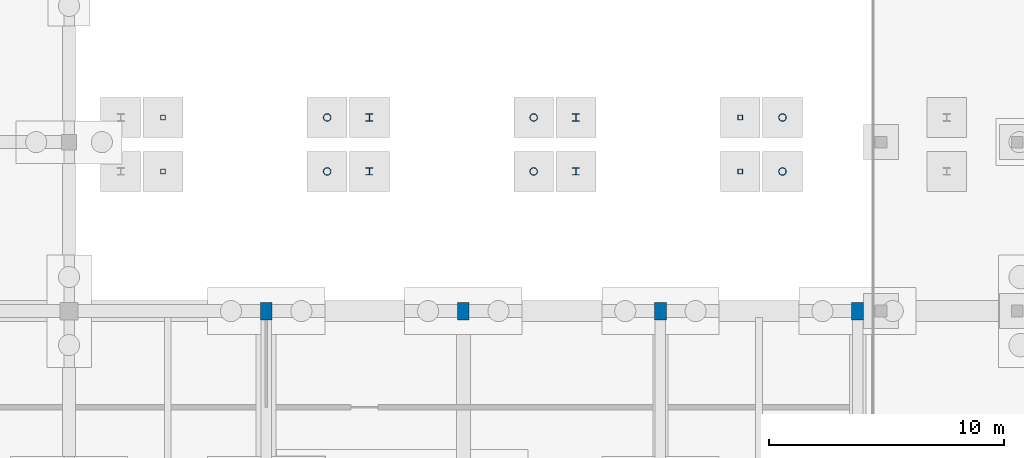
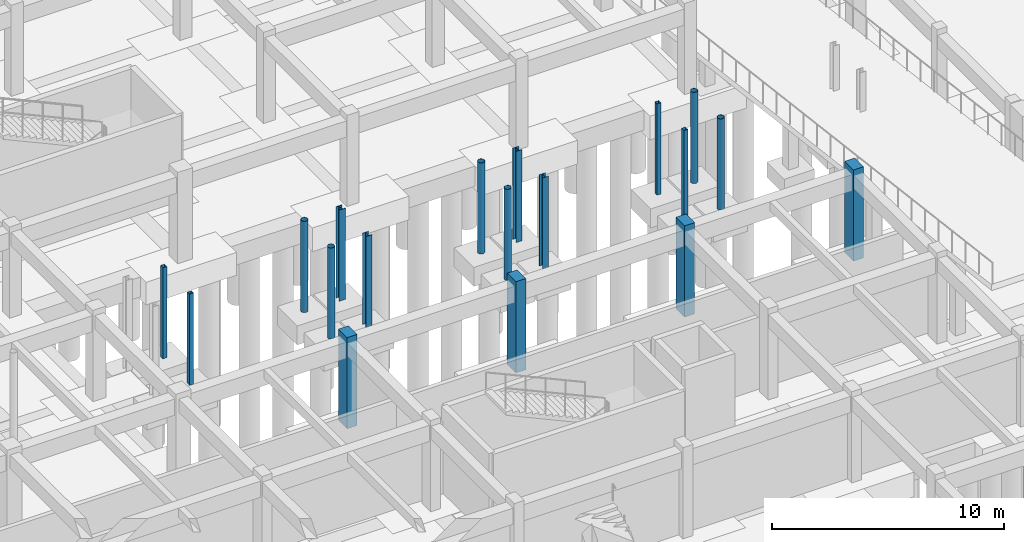
# One storey, part 23 of 80: 18 columns.
"""IFC4 building model written with IfcOpenShell, lengths in metres."""

import ifcopenshell
import ifcopenshell.guid

model = None  # the IFC model being written
_history = None  # IfcOwnerHistory: only IFC2X3 demands one
_inside = {}  # id of a spatial element -> (the spatial element, [elements in it])
_under = {}  # id of a project, library or spatial element -> (it, [spatial elements below it])
_declared = {}  # id of a project -> (the project, [libraries it declares])
_typed = {}  # id of a type object -> (the type object, [elements of that type])
_made_of = {}  # id of a material, layer set ... -> (it, [elements and type objects made of it])


def new_model(schema):
    """Start an empty IFC model of exactly this schema.

    Asked for "IFC4X3", IfcOpenShell would pick the latest addendum, in which some entities
    have other attributes; the version numbers below select the first issue.
    IFC2X3 requires an IfcOwnerHistory on every rooted entity: one is made here for all.
    """
    global model, _history
    if schema == "IFC4X3":
        model = ifcopenshell.file(schema_version=(4, 3, 0, 0))
    else:
        model = ifcopenshell.file(schema=schema)
    _inside.clear()
    _under.clear()
    _declared.clear()
    _typed.clear()
    _made_of.clear()
    _history = None
    if model.schema == "IFC2X3":
        org = make("IfcOrganization", Name="unknown")
        user = make(
            "IfcPersonAndOrganization",
            ThePerson=make("IfcPerson", FamilyName="unknown"),
            TheOrganization=org,
        )
        app = make(
            "IfcApplication",
            ApplicationDeveloper=org,
            Version="unknown",
            ApplicationFullName="unknown",
            ApplicationIdentifier="unknown",
        )
        _history = make(
            "IfcOwnerHistory",
            OwningUser=user,
            OwningApplication=app,
            ChangeAction="ADDED",
            CreationDate=0,
        )
    return model


def make(cls, **values):
    """One entity of the class cls with the attributes given. An attribute that is None is left unset."""
    return model.create_entity(
        cls, **{name: value for name, value in values.items() if value is not None}
    )


def rooted(cls, **values):
    """An entity with a GlobalId (a new one), such as an element, a storey or a relation."""
    return make(cls, GlobalId=ifcopenshell.guid.new(), OwnerHistory=_history, **values)


def si_unit(unit_type, name, prefix=None):
    """IfcSIUnit, for example si_unit("LENGTHUNIT", "METRE", prefix="MILLI")."""
    return make("IfcSIUnit", UnitType=unit_type, Prefix=prefix, Name=name)


def assignment(units):
    """IfcUnitAssignment: the units of a project."""
    return None if units is None else make("IfcUnitAssignment", Units=units)


def point(xyz):
    """IfcCartesianPoint."""
    return None if xyz is None else make("IfcCartesianPoint", Coordinates=xyz)


def direction(xyz):
    """IfcDirection."""
    return None if xyz is None else make("IfcDirection", DirectionRatios=xyz)


def frame(location, z_axis=None, x_axis=None):
    """IfcAxis2Placement3D, a coordinate frame: its origin and axes. An axis left out is left unset."""
    return make(
        "IfcAxis2Placement3D",
        Location=point(location),
        Axis=direction(z_axis),
        RefDirection=direction(x_axis),
    )


def frame_2d(location, x_axis=None):
    """IfcAxis2Placement2D, a coordinate frame in the plane: its origin and x axis."""
    return make(
        "IfcAxis2Placement2D", Location=point(location), RefDirection=direction(x_axis)
    )


def origin():
    """The frame at (0, 0, 0) with its axes left unset."""
    return frame((0.0, 0.0, 0.0))


def origin_2d():
    """The frame at (0, 0) in the plane with its x axis left unset."""
    return frame_2d((0.0, 0.0))


def place(relative_to, where):
    """IfcLocalPlacement: puts the frame where relative to a parent placement (None: the world)."""
    return make(
        "IfcLocalPlacement", PlacementRelTo=relative_to, RelativePlacement=where
    )


def context(
    kind, dimensions, precision=None, world=None, true_north=None, identifier=None
):
    """IfcGeometricRepresentationContext, for example the 3D "Model" context."""
    return make(
        "IfcGeometricRepresentationContext",
        ContextIdentifier=identifier,
        ContextType=kind,
        CoordinateSpaceDimension=dimensions,
        Precision=precision,
        WorldCoordinateSystem=world,
        TrueNorth=true_north,
    )


def subcontext(parent, identifier, kind, view, scale=None):
    """IfcGeometricRepresentationSubContext, for example "Body" below "Model"."""
    return make(
        "IfcGeometricRepresentationSubContext",
        ContextIdentifier=identifier,
        ContextType=kind,
        ParentContext=parent,
        TargetScale=scale,
        TargetView=view,
    )


def project(units=None, contexts=None):
    """IfcProject with its units and contexts."""
    return rooted(
        "IfcProject",
        Name="project",
        RepresentationContexts=contexts,
        UnitsInContext=assignment(units),
    )


def spatial(cls, under=None, at=None, **own):
    """A site, building, storey or space (cls), placed at a placement, below another one or the project."""
    s = rooted(cls, ObjectPlacement=at, **own)
    if under is not None:
        _under.setdefault(under.id(), (under, []))[1].append(s)
    return s


def profile(cls, at=None, kind="AREA", **sizes):
    """A parametric profile (cls). Its sizes go by their IFC names, for example OverallWidth=200.0."""
    return make(cls, ProfileType=kind, Position=at, **sizes)


def rectangle(**sizes):
    """IfcRectangleProfileDef."""
    return profile("IfcRectangleProfileDef", **sizes)


def hollow_rectangle(**sizes):
    """IfcRectangleHollowProfileDef."""
    return profile("IfcRectangleHollowProfileDef", **sizes)


def hollow_circle(**sizes):
    """IfcCircleHollowProfileDef."""
    return profile("IfcCircleHollowProfileDef", **sizes)


def i_section(**sizes):
    """IfcIShapeProfileDef."""
    return profile("IfcIShapeProfileDef", **sizes)


def extrude(swept, where, along, depth):
    """IfcExtrudedAreaSolid: the profile swept, set in the frame where, extruded along a direction by depth."""
    return make(
        "IfcExtrudedAreaSolid",
        SweptArea=swept,
        Position=where,
        ExtrudedDirection=direction(along),
        Depth=depth,
    )


def shape(context_of_items, identifier, shape_type, items):
    """IfcShapeRepresentation: the items that make up one representation, for example the "Body"."""
    return make(
        "IfcShapeRepresentation",
        ContextOfItems=context_of_items,
        RepresentationIdentifier=identifier,
        RepresentationType=shape_type,
        Items=items,
    )


def material(Name=None, Category=None):
    """IfcMaterial."""
    return make("IfcMaterial", Name=Name, Category=Category)


def material_profile(
    of_material, cross_section, Name=None, Category=None, Priority=None
):
    """IfcMaterialProfile: a cross section and its material."""
    return make(
        "IfcMaterialProfile",
        Name=Name,
        Material=of_material,
        Profile=cross_section,
        Priority=Priority,
        Category=Category,
    )


def profile_set(profiles, Name=None, composite=None):
    """IfcMaterialProfileSet."""
    return make(
        "IfcMaterialProfileSet",
        Name=Name,
        MaterialProfiles=profiles,
        CompositeProfile=composite,
    )


def made_of(thing, what):
    """Note that an element or type object is made of a material, layer set ...; save() writes the relation."""
    if what is not None:
        _made_of.setdefault(what.id(), (what, []))[1].append(thing)
    return thing


def type_object(cls, material=None, **own):
    """A type object (cls), such as IfcWallType, which elements share."""
    return made_of(rooted(cls, **own), material)


def element(
    cls,
    number,
    at=None,
    inside=None,
    cuts=None,
    type_object=None,
    material=None,
    context=None,
    identifier="Body",
    shape_type=None,
    held_by="IfcProductDefinitionShape",
    body=None,
    shapes=None,
    **own,
):
    """One element of the class cls, such as IfcWall. Its Tag is "e" and its number.

    at: its placement. inside: the storey or other place that contains it. cuts: it is an
    opening in that element (IfcRelVoidsElement). A single representation is given by context,
    identifier, shape_type and body (its items); several are given by shapes. held_by: the class
    of the entity that holds the representations. save() writes the other relations.
    """
    e = rooted(cls, Tag="e%d" % number, ObjectPlacement=at, **own)
    if body is not None:
        shapes = [shape(context, identifier, shape_type, body)]
    if shapes is not None:
        e.Representation = make(held_by, Representations=shapes)
    if inside is not None:
        _inside.setdefault(inside.id(), (inside, []))[1].append(e)
    if cuts is not None:
        rooted(
            "IfcRelVoidsElement", RelatingBuildingElement=cuts, RelatedOpeningElement=e
        )
    if type_object is not None:
        _typed.setdefault(type_object.id(), (type_object, []))[1].append(e)
    return made_of(e, material)


def aggregate(whole, parts):
    """IfcRelAggregates: a whole, such as a stair, and the parts it consists of."""
    return rooted("IfcRelAggregates", RelatingObject=whole, RelatedObjects=parts)


def save(model, path):
    """Write the relations noted so far, then the file.

    IfcRelAggregates (storeys below a building ...), IfcRelContainedInSpatialStructure (elements
    in a storey), IfcRelDefinesByType, IfcRelAssociatesMaterial and IfcRelDeclares: one each for
    every whole, place, type object, material and project.
    """
    for whole, parts in _under.values():
        aggregate(whole, parts)
    for where, things in _inside.values():
        rooted(
            "IfcRelContainedInSpatialStructure",
            RelatedElements=things,
            RelatingStructure=where,
        )
    for kind, things in _typed.values():
        rooted("IfcRelDefinesByType", RelatedObjects=things, RelatingType=kind)
    for what, things in _made_of.values():
        rooted("IfcRelAssociatesMaterial", RelatedObjects=things, RelatingMaterial=what)
    for by, libraries in _declared.values():
        rooted("IfcRelDeclares", RelatingContext=by, RelatedDefinitions=libraries)
    model.write(path)


model = new_model("IFC4")

# Units and contexts
model_context = context("Model", 3, precision=1e-05, world=origin(), true_north=direction((0.0, 1.0)))
body_context = subcontext(model_context, "Body", "Model", "MODEL_VIEW")
ifc_project = project(units=[si_unit("LENGTHUNIT", "METRE"), si_unit("AREAUNIT", "SQUARE_METRE"), si_unit("VOLUMEUNIT", "CUBIC_METRE"), si_unit("PLANEANGLEUNIT", "RADIAN"), si_unit("MASSUNIT", "GRAM", prefix="KILO")], contexts=[model_context])

# Site, building, storey
site_placement = place(None, origin())
site = spatial("IfcSite", under=ifc_project, at=site_placement, CompositionType="ELEMENT")
building_placement = place(site_placement, origin())
building = spatial("IfcBuilding", under=site, at=building_placement, Name="Malvenik Polytechnic", CompositionType="ELEMENT")
storey_placement = place(building_placement, frame((0.0, 0.0, -4.800048828125)))
storey = spatial("IfcBuildingStorey", under=building, at=storey_placement, Name="B1", CompositionType="ELEMENT", Elevation=-4.800048828125)

# Columns
ifc_material_1 = material(Name="Concrete C35/45", Category="concrete")
ifc_material_profile_1 = material_profile(ifc_material_1, rectangle(XDim=0.5, YDim=0.75, at=origin_2d()), Name="RC COL 750x500")
ifc_profile_set_1 = profile_set([ifc_material_profile_1], Name="Concrete C35/45")
column_type_1 = type_object("IfcColumnType", Name="STR-COL-C-14", PredefinedType="COLUMN", material=ifc_profile_set_1)
for number, where, z_axis, x_axis, name in (
    (1, (100.800048828125, 36.0, 0.0), (0.0, 0.0, 1.0), (1.0, 0.0, 0.0), "Column C-14 B1 (100.8,36.0)"),
    (2, (109.199951171875, 36.0, 0.0), (0.0, 0.0, 1.0), (1.0, 0.0, 0.0), "Column C-14 B1 (109.2,36.0)"),
    (3, (117.60009765625, 36.0, 0.0), (0.0, 0.0, 1.0), (1.0, 0.0, 0.0), "Column C-14 B1 (117.6,36.0)"),
    (4, (126.0, 36.0, 0.0), (0.0, 0.0, 1.0), (1.0, 0.0, 0.0), "Column C-14 B1 (126.0,36.0)"),
):
    element("IfcColumn", number, at=place(storey_placement, frame(where, z_axis=z_axis, x_axis=x_axis)), inside=storey, type_object=column_type_1, Name=name, PredefinedType="COLUMN", context=body_context, shape_type="SweptSolid", body=[
        extrude(rectangle(XDim=0.5, YDim=0.75, at=origin_2d()), origin(), (0.0, 0.0, 1.0), 4.800048828125),
    ])
ifc_material_2 = material(Name="Steel S355J2H", Category="steel")
ifc_material_profile_2 = material_profile(ifc_material_2, hollow_rectangle(XDim=0.199951171875, YDim=0.199951171875, WallThickness=0.010009765625, at=origin_2d()), Name="SHS 200x200x10.0")
ifc_profile_set_2 = profile_set([ifc_material_profile_2], Name="Steel S355J2H")
column_type_2 = type_object("IfcColumnType", Name="STR-SCOL-SC-02", PredefinedType="COLUMN", material=ifc_profile_set_2)
for number, where, z_axis, x_axis, name in (
    (5, (96.39990234375, 41.949951171875, 0.0), (0.0, 0.0, 1.0), (1.0, 0.0, 0.0), "Bridge-Ramp Support Column SC-02 B1"),
    (6, (96.39990234375, 44.25, 0.0), (0.0, 0.0, 1.0), (1.0, 0.0, 0.0), "Bridge-Ramp Support Column SC-02 B1"),
    (7, (121.0, 41.949951171875, 0.0), (0.0, 0.0, 1.0), (1.0, 0.0, 0.0), "Bridge-Ramp Support Column SC-02 B1"),
    (8, (121.0, 44.25, 0.0), (0.0, 0.0, 1.0), (1.0, 0.0, 0.0), "Bridge-Ramp Support Column SC-02 B1"),
):
    element("IfcColumn", number, at=place(storey_placement, frame(where, z_axis=z_axis, x_axis=x_axis)), inside=storey, type_object=column_type_2, Name=name, PredefinedType="COLUMN", context=body_context, shape_type="SweptSolid", body=[
        extrude(hollow_rectangle(XDim=0.199951171875, YDim=0.199951171875, WallThickness=0.010009765625, at=origin_2d()), origin(), (0.0, 0.0, 1.0), 4.800048828125),
    ])
ifc_material_profile_3 = material_profile(ifc_material_2, hollow_circle(Radius=0.161865234375, WallThickness=0.012451171875, at=origin_2d()), Name="CHS 323.9x12.5")
ifc_profile_set_3 = profile_set([ifc_material_profile_3], Name="Steel S355J2H")
column_type_3 = type_object("IfcColumnType", Name="STR-SCOL-SC-04", PredefinedType="COLUMN", material=ifc_profile_set_3)
for number, where, z_axis, x_axis, name in (
    (9, (103.39990234375, 41.949951171875, 0.0), (0.0, 0.0, 1.0), (1.0, 0.0, 0.0), "Bridge-Ramp Support Column SC-04 B1"),
    (10, (103.39990234375, 44.25, 0.0), (0.0, 0.0, 1.0), (1.0, 0.0, 0.0), "Bridge-Ramp Support Column SC-04 B1"),
    (11, (112.199951171875, 41.949951171875, 0.0), (0.0, 0.0, 1.0), (1.0, 0.0, 0.0), "Bridge-Ramp Support Column SC-04 B1"),
    (12, (112.199951171875, 44.25, 0.0), (0.0, 0.0, 1.0), (1.0, 0.0, 0.0), "Bridge-Ramp Support Column SC-04 B1"),
    (13, (122.800048828125, 41.949951171875, 0.0), (0.0, 0.0, 1.0), (1.0, 0.0, 0.0), "Bridge-Ramp Support Column SC-04 B1"),
    (14, (122.800048828125, 44.25, 0.0), (0.0, 0.0, 1.0), (1.0, 0.0, 0.0), "Bridge-Ramp Support Column SC-04 B1"),
):
    element("IfcColumn", number, at=place(storey_placement, frame(where, z_axis=z_axis, x_axis=x_axis)), inside=storey, type_object=column_type_3, Name=name, PredefinedType="COLUMN", context=body_context, shape_type="SweptSolid", body=[
        extrude(hollow_circle(Radius=0.161865234375, WallThickness=0.012451171875, at=origin_2d()), origin(), (0.0, 0.0, 1.0), 4.800048828125),
    ])
ifc_material_3 = material(Name="Steel S355", Category="steel")
ifc_material_profile_4 = material_profile(ifc_material_3, i_section(OverallWidth=0.300048828125, OverallDepth=0.300048828125, WebThickness=0.010986328125, FlangeThickness=0.01904296875, FilletRadius=0.027099609375, at=origin_2d()), Name="HEB 300")
ifc_profile_set_4 = profile_set([ifc_material_profile_4], Name="Steel S355")
column_type_4 = type_object("IfcColumnType", Name="STR-SCOL-SC-05", PredefinedType="COLUMN", material=ifc_profile_set_4)
for number, where, z_axis, x_axis, name in (
    (15, (105.199951171875, 41.949951171875, 0.0), (0.0, 0.0, 1.0), (1.0, 0.0, 0.0), "Bridge-Ramp Support Column SC-05 B1"),
    (16, (105.199951171875, 44.25, 0.0), (0.0, 0.0, 1.0), (1.0, 0.0, 0.0), "Bridge-Ramp Support Column SC-05 B1"),
    (17, (114.0, 41.949951171875, 0.0), (0.0, 0.0, 1.0), (1.0, 0.0, 0.0), "Bridge-Ramp Support Column SC-05 B1"),
    (18, (114.0, 44.25, 0.0), (0.0, 0.0, 1.0), (1.0, 0.0, 0.0), "Bridge-Ramp Support Column SC-05 B1"),
):
    element("IfcColumn", number, at=place(storey_placement, frame(where, z_axis=z_axis, x_axis=x_axis)), inside=storey, type_object=column_type_4, Name=name, PredefinedType="COLUMN", context=body_context, shape_type="SweptSolid", body=[
        extrude(i_section(OverallWidth=0.300048828125, OverallDepth=0.300048828125, WebThickness=0.010986328125, FlangeThickness=0.01904296875, FilletRadius=0.027099609375, at=origin_2d()), origin(), (0.0, 0.0, 1.0), 4.800048828125),
    ])

save(model, "model.ifc")
